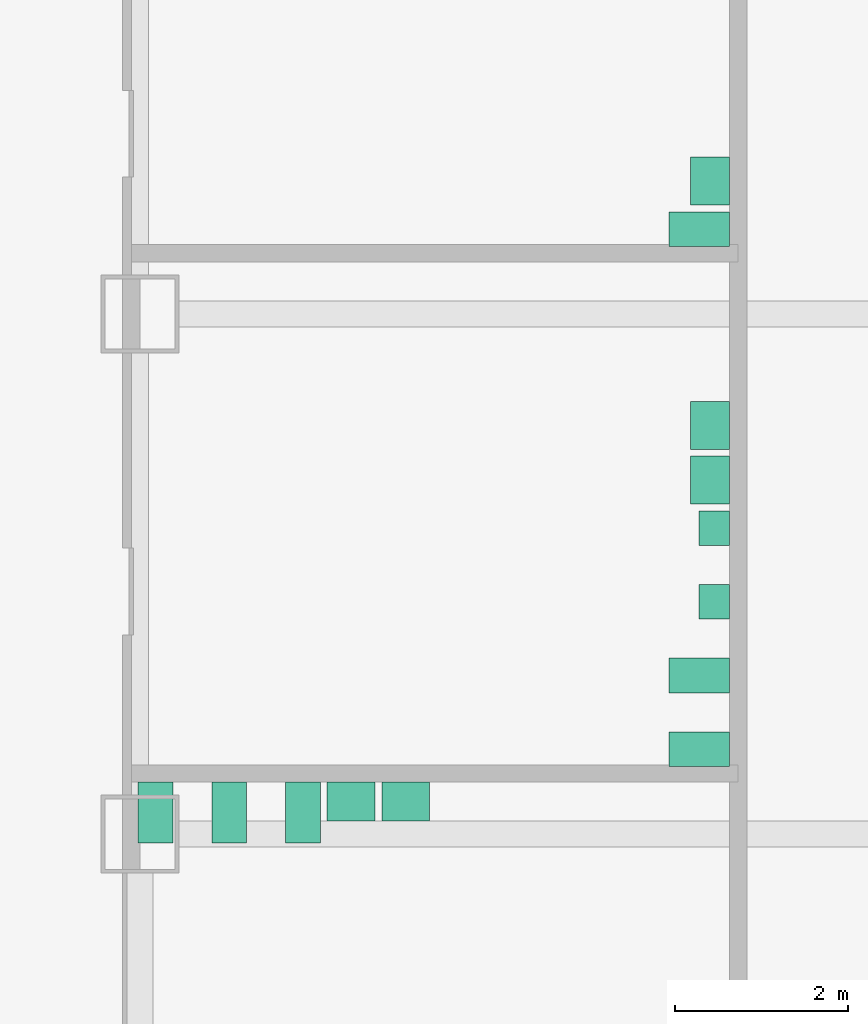
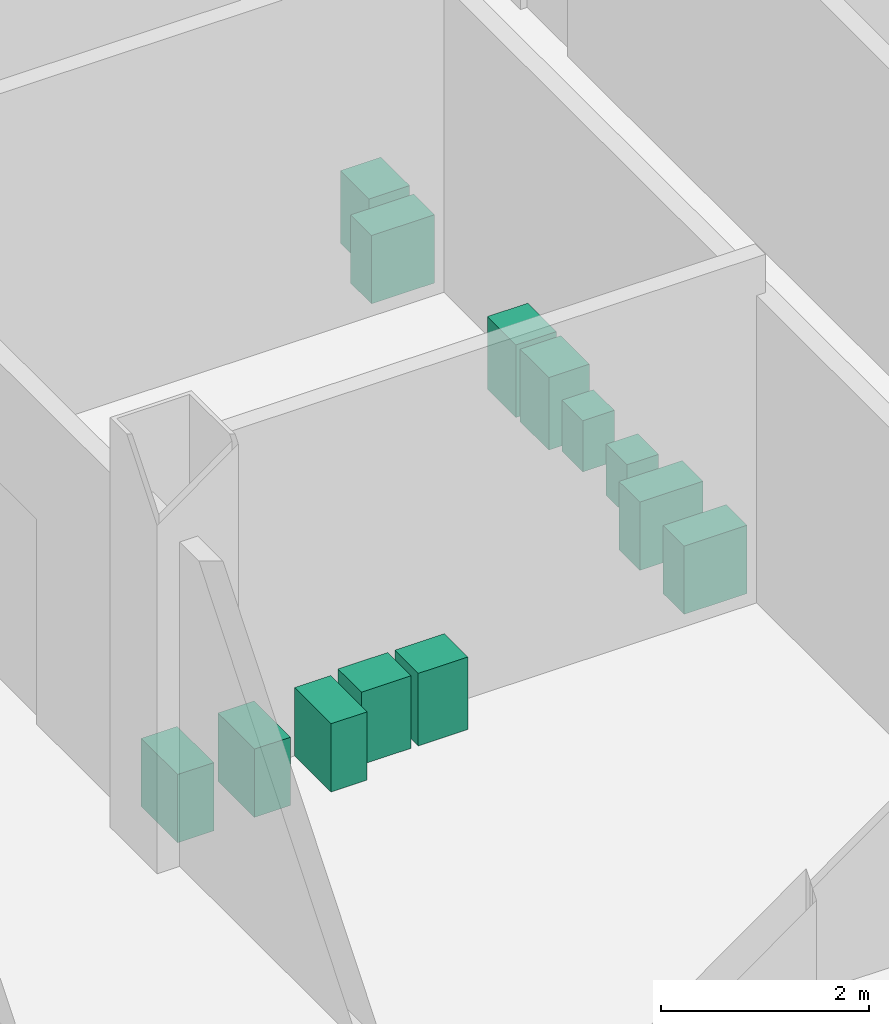
# One storey, part 34 of 34: 13 sanitary terminals.
"""IFC4 building model written with IfcOpenShell, lengths in metres."""

from ifc_helpers import new_model, si_unit, direction, frame, origin, origin_2d, place, context, subcontext, project, spatial, rectangle, extrude, element, save


model = new_model("IFC4")

# Units and contexts
model_context = context("Model", 3, precision=1e-05, world=origin(), true_north=direction((0.0, 1.0)))
body_context = subcontext(model_context, "Body", "Model", "MODEL_VIEW")
ifc_project = project(units=[si_unit("LENGTHUNIT", "METRE"), si_unit("AREAUNIT", "SQUARE_METRE"), si_unit("VOLUMEUNIT", "CUBIC_METRE"), si_unit("PLANEANGLEUNIT", "RADIAN"), si_unit("MASSUNIT", "GRAM", prefix="KILO")], contexts=[model_context])

# Site, building, storey
site_placement = place(None, origin())
site = spatial("IfcSite", under=ifc_project, at=site_placement, CompositionType="ELEMENT")
building_placement = place(site_placement, origin())
building = spatial("IfcBuilding", under=site, at=building_placement, Name="Sorahane Residences", CompositionType="ELEMENT")
storey_placement = place(building_placement, frame((0.0, 0.0, 39.60009765625)))
storey = spatial("IfcBuildingStorey", under=building, at=storey_placement, Name="L06", CompositionType="ELEMENT", Elevation=39.60009765625)

# Sanitary terminals
for number, where, z_axis, x_axis, name in (
    (1, (48.179931640625, 24.25, 0.0), (0.0, 0.0, 1.0), (1.0, 0.0, 0.0), "WC pan Women's toilets 06"),
    (2, (49.030029296875, 24.25, 0.0), (0.0, 0.0, 1.0), (1.0, 0.0, 0.0), "WC pan Women's toilets 06"),
    (3, (49.8798828125, 24.25, 0.0), (0.0, 0.0, 1.0), (1.0, 0.0, 0.0), "WC pan Women's toilets 06"),
):
    element("IfcSanitaryTerminal", number, at=place(storey_placement, frame(where, z_axis=z_axis, x_axis=x_axis)), inside=storey, Name=name, PredefinedType="TOILETPAN", context=body_context, shape_type="SweptSolid", body=[
        extrude(rectangle(XDim=0.39990234375, YDim=0.699951171875, at=origin_2d()), origin(), (0.0, 0.0, 1.0), 0.800048828125),
    ])
for number, where, z_axis, x_axis, name in (
    (4, (50.43505859375, 24.375, -0.000244140625), (0.0, 0.0, 1.0), (1.0, 0.0, 0.0), "Wash basin Women's toilets 06"),
    (5, (51.06494140625, 24.375, -0.000244140625), (0.0, 0.0, 1.0), (1.0, 0.0, 0.0), "Wash basin Women's toilets 06"),
):
    element("IfcSanitaryTerminal", number, at=place(storey_placement, frame(where, z_axis=z_axis, x_axis=x_axis)), inside=storey, Name=name, PredefinedType="WASHHANDBASIN", context=body_context, shape_type="SweptSolid", body=[
        extrude(rectangle(XDim=0.550048828125, YDim=0.449951171875, at=origin_2d()), origin(), (0.0, 0.0, 1.0), 0.85009765625),
    ])
for number, where, z_axis, x_axis, name in (
    (6, (54.449951171875, 24.97998046875, 0.0), (0.0, 0.0, 1.0), (0.0, -1.0, 0.0), "WC pan Men's toilets 06"),
    (7, (54.449951171875, 25.830078125, 0.0), (0.0, 0.0, 1.0), (0.0, -1.0, 0.0), "WC pan Men's toilets 06"),
):
    element("IfcSanitaryTerminal", number, at=place(storey_placement, frame(where, z_axis=z_axis, x_axis=x_axis)), inside=storey, Name=name, PredefinedType="TOILETPAN", context=body_context, shape_type="SweptSolid", body=[
        extrude(rectangle(XDim=0.39990234375, YDim=0.699951171875, at=origin_2d()), origin(), (0.0, 0.0, 1.0), 0.800048828125),
    ])
for number, where, z_axis, x_axis, name in (
    (8, (54.625, 26.679931640625, -0.000244140625), (0.0, 0.0, 1.0), (0.0, -1.0, 0.0), "Urinal Men's toilets 06"),
    (9, (54.625, 27.530029296875, -0.000244140625), (0.0, 0.0, 1.0), (0.0, -1.0, 0.0), "Urinal Men's toilets 06"),
):
    element("IfcSanitaryTerminal", number, at=place(storey_placement, frame(where, z_axis=z_axis, x_axis=x_axis)), inside=storey, Name=name, PredefinedType="URINAL", context=body_context, shape_type="SweptSolid", body=[
        extrude(rectangle(XDim=0.39990234375, YDim=0.35009765625, at=origin_2d()), origin(), (0.0, 0.0, 1.0), 0.60009765625),
    ])
for number, where, z_axis, x_axis, name in (
    (10, (54.574951171875, 28.0849609375, -0.000244140625), (0.0, 0.0, 1.0), (0.0, -1.0, 0.0), "Wash basin Men's toilets 06"),
    (11, (54.574951171875, 28.715087890625, -0.000244140625), (0.0, 0.0, 1.0), (0.0, -1.0, 0.0), "Wash basin Men's toilets 06"),
):
    element("IfcSanitaryTerminal", number, at=place(storey_placement, frame(where, z_axis=z_axis, x_axis=x_axis)), inside=storey, Name=name, PredefinedType="WASHHANDBASIN", context=body_context, shape_type="SweptSolid", body=[
        extrude(rectangle(XDim=0.550048828125, YDim=0.449951171875, at=origin_2d()), origin(), (0.0, 0.0, 1.0), 0.85009765625),
    ])
sanitary_terminal_1_placement = place(storey_placement, frame((54.449951171875, 30.97998046875, 0.0), z_axis=(0.0, 0.0, 1.0), x_axis=(0.0, -1.0, 0.0)))
element("IfcSanitaryTerminal", 12, at=sanitary_terminal_1_placement, inside=storey, Name="WC pan Accessible toilets 06", PredefinedType="TOILETPAN", context=body_context, shape_type="SweptSolid", body=[
    extrude(rectangle(XDim=0.39990234375, YDim=0.699951171875, at=origin_2d()), origin(), (0.0, 0.0, 1.0), 0.800048828125),
])
sanitary_terminal_2_placement = place(storey_placement, frame((54.574951171875, 31.534912109375, -0.000244140625), z_axis=(0.0, 0.0, 1.0), x_axis=(0.0, -1.0, 0.0)))
element("IfcSanitaryTerminal", 13, at=sanitary_terminal_2_placement, inside=storey, Name="Wash basin Accessible toilets 06", PredefinedType="WASHHANDBASIN", context=body_context, shape_type="SweptSolid", body=[
    extrude(rectangle(XDim=0.550048828125, YDim=0.449951171875, at=origin_2d()), origin(), (0.0, 0.0, 1.0), 0.85009765625),
])

save(model, "model.ifc")
